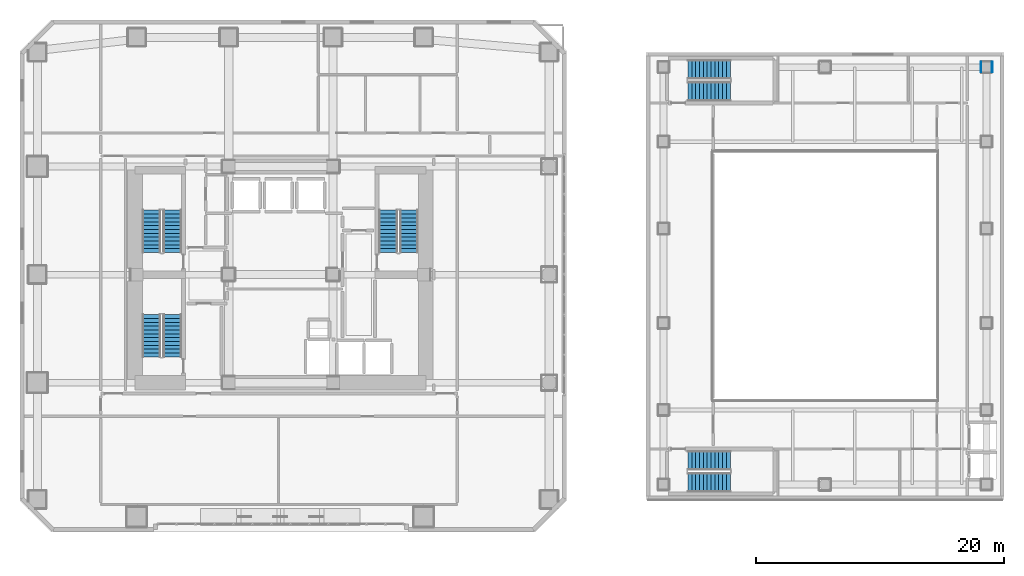
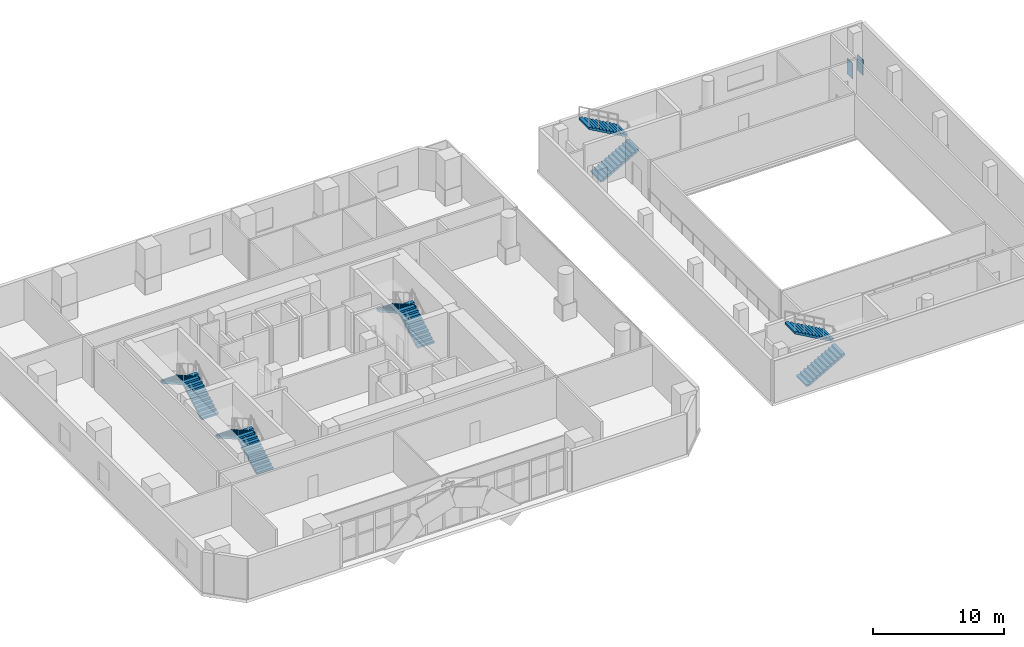
# One storey, part 19 of 22: 10 stair flights, 2 walls, 5 elements without a shape of their own.
"""IFC4 building model written with IfcOpenShell, lengths in metres."""

from ifc_helpers import new_model, si_unit, direction, frame, frame_2d, origin, place, context, subcontext, project, spatial, polyline, rectangle, outline, extrude, material, layer, layer_set, type_object, element, aggregate, save


model = new_model("IFC4")

# Units and contexts
model_context = context("Model", 3, precision=1e-05, world=origin(), true_north=direction((0.0, 1.0)))
body_context = subcontext(model_context, "Body", "Model", "MODEL_VIEW")
ifc_project = project(units=[si_unit("LENGTHUNIT", "METRE"), si_unit("AREAUNIT", "SQUARE_METRE"), si_unit("VOLUMEUNIT", "CUBIC_METRE"), si_unit("PLANEANGLEUNIT", "RADIAN"), si_unit("MASSUNIT", "GRAM", prefix="KILO")], contexts=[model_context])

# Site, building, storey
site_placement = place(None, origin())
site = spatial("IfcSite", under=ifc_project, at=site_placement, CompositionType="ELEMENT")
building_placement = place(site_placement, origin())
building = spatial("IfcBuilding", under=site, at=building_placement, Name="Solanera Arch Residences", CompositionType="ELEMENT")
storey_placement = place(building_placement, frame((0.0, 0.0, 13.60009765625)))
storey = spatial("IfcBuildingStorey", under=building, at=storey_placement, Name="L03", CompositionType="ELEMENT", Elevation=13.60009765625)

# Walls
ifc_material_1 = material(Name="Fire-Rated Gypsum Stud Partition", Category="gypsum")
ifc_layer = layer(ifc_material_1, 0.06005859375)
ifc_layer_set = layer_set([ifc_layer], Name="Fire-Rated Gypsum Stud Partition")
wall_type = type_object("IfcWallType", Name="Column Acoustic Furring Wall 60", PredefinedType="PARTITIONING", material=ifc_layer_set)
for number, where, z_axis, x_axis, name in (
    (1, (81.343017578125, 46.97509765625, 0.0), (0.0, 0.0, 1.0), (0.0, 1.0, 0.0), "L03 Column Furring 36W"),
    (2, (82.257080078125, 46.97509765625, 0.0), (0.0, 0.0, 1.0), (0.0, 1.0, 0.0), "L03 Column Furring 36E"),
):
    element("IfcWall", number, at=place(storey_placement, frame(where, z_axis=z_axis, x_axis=x_axis)), inside=storey, type_object=wall_type, Name=name, PredefinedType="PARTITIONING", context=body_context, shape_type="SweptSolid", body=[
        extrude(rectangle(XDim=0.849853515625, YDim=0.06005859375, at=frame_2d((0.4248046875, 0.0))), origin(), (0.0, 0.0, 1.0), 1.449951171875),
    ])

# Stair, stair flights
ifc_material_2 = material(Name="Concrete C40/50 (f'c = 45 MPa)", Category="concrete")
stair_type_1 = type_object("IfcStairType", Name="Arena Dogleg Exit Stair 1560", PredefinedType="HALF_TURN_STAIR", material=ifc_material_2)
stair_1_placement = place(storey_placement, origin())
stair_1 = element("IfcStair", 3, at=stair_1_placement, inside=storey, type_object=stair_type_1, Name="L03 Sports Hall South Exit Stair", PredefinedType="HALF_TURN_STAIR")
ifc_material_3 = material(Name="Concrete C40/50 (f'c = 45 MPa)", Category="concrete")
stair_flight_type_1 = type_object("IfcStairFlightType", Name="Arena Precast Stair Flight 1560", PredefinedType="STRAIGHT", material=ifc_material_3)
stair_flight_1_placement = place(storey_placement, frame((57.760009765625, 13.97998046875, 0.0), z_axis=(0.0, 0.0, 1.0), x_axis=(1.0, 0.0, 0.0)))
stair_flight_1 = element("IfcStairFlight", 4, at=stair_flight_1_placement, type_object=stair_flight_type_1, Name="ST-H1 flight 1", NumberOfRisers=12, NumberOfTreads=11, PredefinedType="STRAIGHT", RiserHeight=0.175, TreadLength=0.31, context=body_context, shape_type="SweptSolid", body=[
    extrude(outline(polyline([(0.0, 0.0), (0.0, 0.175048828125), (0.31005859375, 0.175048828125), (0.31005859375, 0.35009765625), (0.6201171875, 0.35009765625), (0.6201171875, 0.52490234375), (0.929931640625, 0.52490234375), (0.929931640625, 0.699951171875), (1.239990234375, 0.699951171875), (1.239990234375, 0.875), (1.550048828125, 0.875), (1.550048828125, 1.050048828125), (1.860107421875, 1.050048828125), (1.860107421875, 1.22509765625), (2.169921875, 1.22509765625), (2.169921875, 1.39990234375), (2.47998046875, 1.39990234375), (2.47998046875, 1.574951171875), (2.7900390625, 1.574951171875), (2.7900390625, 1.75), (3.10009765625, 1.75), (3.10009765625, 1.925048828125), (3.409912109375, 1.925048828125), (3.409912109375, 2.10009765625), (3.409912109375, 1.7529296875), (0.304931640625, 0.0), (0.0, 0.0)])), frame((0.0, 0.780029296875, 0.0), z_axis=(0.0, -1.0, 0.0), x_axis=(1.0, 0.0, 0.0)), (0.0, 0.0, 1.0), 1.56005859375),
])
stair_flight_2_placement = place(storey_placement, frame((61.169921875, 15.739990234375, 2.099853515625), z_axis=(0.0, 0.0, 1.0), x_axis=(-1.0, 0.0, 0.0)))
stair_flight_2 = element("IfcStairFlight", 5, at=stair_flight_2_placement, type_object=stair_flight_type_1, Name="ST-H1 flight 2", NumberOfRisers=12, NumberOfTreads=11, PredefinedType="STRAIGHT", RiserHeight=0.175, TreadLength=0.31, context=body_context, shape_type="SweptSolid", body=[
    extrude(outline(polyline([(0.0, 0.0), (0.0, 0.175048828125), (0.31005859375, 0.175048828125), (0.31005859375, 0.35009765625), (0.6201171875, 0.35009765625), (0.6201171875, 0.52490234375), (0.929931640625, 0.52490234375), (0.929931640625, 0.699951171875), (1.239990234375, 0.699951171875), (1.239990234375, 0.875), (1.550048828125, 0.875), (1.550048828125, 1.050048828125), (1.860107421875, 1.050048828125), (1.860107421875, 1.22509765625), (2.169921875, 1.22509765625), (2.169921875, 1.39990234375), (2.47998046875, 1.39990234375), (2.47998046875, 1.574951171875), (2.7900390625, 1.574951171875), (2.7900390625, 1.75), (3.10009765625, 1.75), (3.10009765625, 1.925048828125), (3.409912109375, 1.925048828125), (3.409912109375, 2.10009765625), (3.409912109375, 1.7529296875), (0.304931640625, 0.0), (0.0, 0.0)])), frame((0.0, 0.780029296875, 0.0), z_axis=(0.0, -1.0, 0.0), x_axis=(1.0, 0.0, 0.0)), (0.0, 0.0, 1.0), 1.56005859375),
])
aggregate(stair_1, [stair_flight_1, stair_flight_2])

stair_2_placement = place(storey_placement, origin())
stair_2 = element("IfcStair", 6, at=stair_2_placement, inside=storey, type_object=stair_type_1, Name="L03 Sports Hall North Exit Stair", PredefinedType="HALF_TURN_STAIR")
stair_flight_3_placement = place(storey_placement, frame((57.760009765625, 45.4599609375, 0.0), z_axis=(0.0, 0.0, 1.0), x_axis=(1.0, 0.0, 0.0)))
stair_flight_3 = element("IfcStairFlight", 7, at=stair_flight_3_placement, type_object=stair_flight_type_1, Name="ST-H2 flight 1", NumberOfRisers=12, NumberOfTreads=11, PredefinedType="STRAIGHT", RiserHeight=0.175, TreadLength=0.31, context=body_context, shape_type="SweptSolid", body=[
    extrude(outline(polyline([(0.0, 0.0), (0.0, 0.175048828125), (0.31005859375, 0.175048828125), (0.31005859375, 0.35009765625), (0.6201171875, 0.35009765625), (0.6201171875, 0.52490234375), (0.929931640625, 0.52490234375), (0.929931640625, 0.699951171875), (1.239990234375, 0.699951171875), (1.239990234375, 0.875), (1.550048828125, 0.875), (1.550048828125, 1.050048828125), (1.860107421875, 1.050048828125), (1.860107421875, 1.22509765625), (2.169921875, 1.22509765625), (2.169921875, 1.39990234375), (2.47998046875, 1.39990234375), (2.47998046875, 1.574951171875), (2.7900390625, 1.574951171875), (2.7900390625, 1.75), (3.10009765625, 1.75), (3.10009765625, 1.925048828125), (3.409912109375, 1.925048828125), (3.409912109375, 2.10009765625), (3.409912109375, 1.7529296875), (0.304931640625, 0.0), (0.0, 0.0)])), frame((0.0, 0.780029296875, 0.0), z_axis=(0.0, -1.0, 0.0), x_axis=(1.0, 0.0, 0.0)), (0.0, 0.0, 1.0), 1.56005859375),
])
stair_flight_4_placement = place(storey_placement, frame((61.169921875, 47.219970703125, 2.099853515625), z_axis=(0.0, 0.0, 1.0), x_axis=(-1.0, 0.0, 0.0)))
stair_flight_4 = element("IfcStairFlight", 8, at=stair_flight_4_placement, type_object=stair_flight_type_1, Name="ST-H2 flight 2", NumberOfRisers=12, NumberOfTreads=11, PredefinedType="STRAIGHT", RiserHeight=0.175, TreadLength=0.31, context=body_context, shape_type="SweptSolid", body=[
    extrude(outline(polyline([(0.0, 0.0), (0.0, 0.175048828125), (0.31005859375, 0.175048828125), (0.31005859375, 0.35009765625), (0.6201171875, 0.35009765625), (0.6201171875, 0.52490234375), (0.929931640625, 0.52490234375), (0.929931640625, 0.699951171875), (1.239990234375, 0.699951171875), (1.239990234375, 0.875), (1.550048828125, 0.875), (1.550048828125, 1.050048828125), (1.860107421875, 1.050048828125), (1.860107421875, 1.22509765625), (2.169921875, 1.22509765625), (2.169921875, 1.39990234375), (2.47998046875, 1.39990234375), (2.47998046875, 1.574951171875), (2.7900390625, 1.574951171875), (2.7900390625, 1.75), (3.10009765625, 1.75), (3.10009765625, 1.925048828125), (3.409912109375, 1.925048828125), (3.409912109375, 2.10009765625), (3.409912109375, 1.7529296875), (0.304931640625, 0.0), (0.0, 0.0)])), frame((0.0, 0.780029296875, 0.0), z_axis=(0.0, -1.0, 0.0), x_axis=(1.0, 0.0, 0.0)), (0.0, 0.0, 1.0), 1.56005859375),
])
aggregate(stair_2, [stair_flight_3, stair_flight_4])

ifc_material_4 = material(Name="Concrete C40/50 (f'c = 45 MPa)", Category="concrete")
stair_type_2 = type_object("IfcStairType", Name="Tower Dogleg Exit Stair 1480", PredefinedType="HALF_TURN_STAIR", material=ifc_material_4)
stair_3_placement = place(storey_placement, origin())
stair_3 = element("IfcStair", 9, at=stair_3_placement, inside=storey, type_object=stair_type_2, Name="L03 Tower Core Exit Stair 1", PredefinedType="HALF_TURN_STAIR")
ifc_material_5 = material(Name="Concrete C40/50 (f'c = 45 MPa)", Category="concrete")
stair_flight_type_2 = type_object("IfcStairFlightType", Name="Tower Precast Stair Flight 1480", PredefinedType="STRAIGHT", material=ifc_material_5)
stair_flight_5_placement = place(storey_placement, frame((16.260009765625, 32.47998046875, 0.0), z_axis=(0.0, 0.0, 1.0), x_axis=(0.0, 1.0, 0.0)))
stair_flight_5 = element("IfcStairFlight", 10, at=stair_flight_5_placement, type_object=stair_flight_type_2, Name="ST-T1 flight 1", NumberOfRisers=12, NumberOfTreads=11, PredefinedType="STRAIGHT", RiserHeight=0.175, TreadLength=0.31, context=body_context, shape_type="SweptSolid", body=[
    extrude(outline(polyline([(0.0, 0.0), (0.0, 0.175048828125), (0.31005859375, 0.175048828125), (0.31005859375, 0.35009765625), (0.6201171875, 0.35009765625), (0.6201171875, 0.52490234375), (0.929931640625, 0.52490234375), (0.929931640625, 0.699951171875), (1.239990234375, 0.699951171875), (1.239990234375, 0.875), (1.550048828125, 0.875), (1.550048828125, 1.050048828125), (1.860107421875, 1.050048828125), (1.860107421875, 1.22509765625), (2.169921875, 1.22509765625), (2.169921875, 1.39990234375), (2.47998046875, 1.39990234375), (2.47998046875, 1.574951171875), (2.7900390625, 1.574951171875), (2.7900390625, 1.75), (3.10009765625, 1.75), (3.10009765625, 1.925048828125), (3.409912109375, 1.925048828125), (3.409912109375, 2.10009765625), (3.409912109375, 1.7529296875), (0.304931640625, 0.0), (0.0, 0.0)])), frame((0.0, 0.739990234375, 0.0), z_axis=(0.0, -1.0, 0.0), x_axis=(1.0, 0.0, 0.0)), (0.0, 0.0, 1.0), 1.47998046875),
])
stair_flight_6_placement = place(storey_placement, frame((14.580078125, 35.889892578125, 2.099853515625), z_axis=(0.0, 0.0, 1.0), x_axis=(0.0, -1.0, 0.0)))
stair_flight_6 = element("IfcStairFlight", 11, at=stair_flight_6_placement, type_object=stair_flight_type_2, Name="ST-T1 flight 2", NumberOfRisers=12, NumberOfTreads=11, PredefinedType="STRAIGHT", RiserHeight=0.175, TreadLength=0.31, context=body_context, shape_type="SweptSolid", body=[
    extrude(outline(polyline([(0.0, 0.0), (0.0, 0.175048828125), (0.31005859375, 0.175048828125), (0.31005859375, 0.35009765625), (0.6201171875, 0.35009765625), (0.6201171875, 0.52490234375), (0.929931640625, 0.52490234375), (0.929931640625, 0.699951171875), (1.239990234375, 0.699951171875), (1.239990234375, 0.875), (1.550048828125, 0.875), (1.550048828125, 1.050048828125), (1.860107421875, 1.050048828125), (1.860107421875, 1.22509765625), (2.169921875, 1.22509765625), (2.169921875, 1.39990234375), (2.47998046875, 1.39990234375), (2.47998046875, 1.574951171875), (2.7900390625, 1.574951171875), (2.7900390625, 1.75), (3.10009765625, 1.75), (3.10009765625, 1.925048828125), (3.409912109375, 1.925048828125), (3.409912109375, 2.10009765625), (3.409912109375, 1.7529296875), (0.304931640625, 0.0), (0.0, 0.0)])), frame((0.0, 0.739990234375, 0.0), z_axis=(0.0, -1.0, 0.0), x_axis=(1.0, 0.0, 0.0)), (0.0, 0.0, 1.0), 1.47998046875),
])
aggregate(stair_3, [stair_flight_5, stair_flight_6])

stair_4_placement = place(storey_placement, origin())
stair_4 = element("IfcStair", 12, at=stair_4_placement, inside=storey, type_object=stair_type_2, Name="L03 Tower Core Exit Stair 2", PredefinedType="HALF_TURN_STAIR")
stair_flight_7_placement = place(storey_placement, frame((35.320068359375, 32.47998046875, 0.0), z_axis=(0.0, 0.0, 1.0), x_axis=(0.0, 1.0, 0.0)))
stair_flight_7 = element("IfcStairFlight", 13, at=stair_flight_7_placement, type_object=stair_flight_type_2, Name="ST-T2 flight 1", NumberOfRisers=12, NumberOfTreads=11, PredefinedType="STRAIGHT", RiserHeight=0.175, TreadLength=0.31, context=body_context, shape_type="SweptSolid", body=[
    extrude(outline(polyline([(0.0, 0.0), (0.0, 0.175048828125), (0.31005859375, 0.175048828125), (0.31005859375, 0.35009765625), (0.6201171875, 0.35009765625), (0.6201171875, 0.52490234375), (0.929931640625, 0.52490234375), (0.929931640625, 0.699951171875), (1.239990234375, 0.699951171875), (1.239990234375, 0.875), (1.550048828125, 0.875), (1.550048828125, 1.050048828125), (1.860107421875, 1.050048828125), (1.860107421875, 1.22509765625), (2.169921875, 1.22509765625), (2.169921875, 1.39990234375), (2.47998046875, 1.39990234375), (2.47998046875, 1.574951171875), (2.7900390625, 1.574951171875), (2.7900390625, 1.75), (3.10009765625, 1.75), (3.10009765625, 1.925048828125), (3.409912109375, 1.925048828125), (3.409912109375, 2.10009765625), (3.409912109375, 1.7529296875), (0.304931640625, 0.0), (0.0, 0.0)])), frame((0.0, 0.739990234375, 0.0), z_axis=(0.0, -1.0, 0.0), x_axis=(1.0, 0.0, 0.0)), (0.0, 0.0, 1.0), 1.47998046875),
])
stair_flight_8_placement = place(storey_placement, frame((33.639892578125, 35.889892578125, 2.099853515625), z_axis=(0.0, 0.0, 1.0), x_axis=(0.0, -1.0, 0.0)))
stair_flight_8 = element("IfcStairFlight", 14, at=stair_flight_8_placement, type_object=stair_flight_type_2, Name="ST-T2 flight 2", NumberOfRisers=12, NumberOfTreads=11, PredefinedType="STRAIGHT", RiserHeight=0.175, TreadLength=0.31, context=body_context, shape_type="SweptSolid", body=[
    extrude(outline(polyline([(0.0, 0.0), (0.0, 0.175048828125), (0.31005859375, 0.175048828125), (0.31005859375, 0.35009765625), (0.6201171875, 0.35009765625), (0.6201171875, 0.52490234375), (0.929931640625, 0.52490234375), (0.929931640625, 0.699951171875), (1.239990234375, 0.699951171875), (1.239990234375, 0.875), (1.550048828125, 0.875), (1.550048828125, 1.050048828125), (1.860107421875, 1.050048828125), (1.860107421875, 1.22509765625), (2.169921875, 1.22509765625), (2.169921875, 1.39990234375), (2.47998046875, 1.39990234375), (2.47998046875, 1.574951171875), (2.7900390625, 1.574951171875), (2.7900390625, 1.75), (3.10009765625, 1.75), (3.10009765625, 1.925048828125), (3.409912109375, 1.925048828125), (3.409912109375, 2.10009765625), (3.409912109375, 1.7529296875), (0.304931640625, 0.0), (0.0, 0.0)])), frame((0.0, 0.739990234375, 0.0), z_axis=(0.0, -1.0, 0.0), x_axis=(1.0, 0.0, 0.0)), (0.0, 0.0, 1.0), 1.47998046875),
])
aggregate(stair_4, [stair_flight_7, stair_flight_8])

stair_5_placement = place(storey_placement, origin())
stair_5 = element("IfcStair", 15, at=stair_5_placement, inside=storey, type_object=stair_type_2, Name="L03 Tower Core Exit Stair 3", PredefinedType="HALF_TURN_STAIR")
stair_flight_9_placement = place(storey_placement, frame((16.260009765625, 24.080078125, 0.0), z_axis=(0.0, 0.0, 1.0), x_axis=(0.0, 1.0, 0.0)))
stair_flight_9 = element("IfcStairFlight", 16, at=stair_flight_9_placement, type_object=stair_flight_type_2, Name="ST-T3 flight 1", NumberOfRisers=12, NumberOfTreads=11, PredefinedType="STRAIGHT", RiserHeight=0.175, TreadLength=0.31, context=body_context, shape_type="SweptSolid", body=[
    extrude(outline(polyline([(0.0, 0.0), (0.0, 0.175048828125), (0.31005859375, 0.175048828125), (0.31005859375, 0.35009765625), (0.6201171875, 0.35009765625), (0.6201171875, 0.52490234375), (0.929931640625, 0.52490234375), (0.929931640625, 0.699951171875), (1.239990234375, 0.699951171875), (1.239990234375, 0.875), (1.550048828125, 0.875), (1.550048828125, 1.050048828125), (1.860107421875, 1.050048828125), (1.860107421875, 1.22509765625), (2.169921875, 1.22509765625), (2.169921875, 1.39990234375), (2.47998046875, 1.39990234375), (2.47998046875, 1.574951171875), (2.7900390625, 1.574951171875), (2.7900390625, 1.75), (3.10009765625, 1.75), (3.10009765625, 1.925048828125), (3.409912109375, 1.925048828125), (3.409912109375, 2.10009765625), (3.409912109375, 1.7529296875), (0.304931640625, 0.0), (0.0, 0.0)])), frame((0.0, 0.739990234375, 0.0), z_axis=(0.0, -1.0, 0.0), x_axis=(1.0, 0.0, 0.0)), (0.0, 0.0, 1.0), 1.47998046875),
])
stair_flight_10_placement = place(storey_placement, frame((14.580078125, 27.489990234375, 2.099853515625), z_axis=(0.0, 0.0, 1.0), x_axis=(0.0, -1.0, 0.0)))
stair_flight_10 = element("IfcStairFlight", 17, at=stair_flight_10_placement, type_object=stair_flight_type_2, Name="ST-T3 flight 2", NumberOfRisers=12, NumberOfTreads=11, PredefinedType="STRAIGHT", RiserHeight=0.175, TreadLength=0.31, context=body_context, shape_type="SweptSolid", body=[
    extrude(outline(polyline([(0.0, 0.0), (0.0, 0.175048828125), (0.31005859375, 0.175048828125), (0.31005859375, 0.35009765625), (0.6201171875, 0.35009765625), (0.6201171875, 0.52490234375), (0.929931640625, 0.52490234375), (0.929931640625, 0.699951171875), (1.239990234375, 0.699951171875), (1.239990234375, 0.875), (1.550048828125, 0.875), (1.550048828125, 1.050048828125), (1.860107421875, 1.050048828125), (1.860107421875, 1.22509765625), (2.169921875, 1.22509765625), (2.169921875, 1.39990234375), (2.47998046875, 1.39990234375), (2.47998046875, 1.574951171875), (2.7900390625, 1.574951171875), (2.7900390625, 1.75), (3.10009765625, 1.75), (3.10009765625, 1.925048828125), (3.409912109375, 1.925048828125), (3.409912109375, 2.10009765625), (3.409912109375, 1.7529296875), (0.304931640625, 0.0), (0.0, 0.0)])), frame((0.0, 0.739990234375, 0.0), z_axis=(0.0, -1.0, 0.0), x_axis=(1.0, 0.0, 0.0)), (0.0, 0.0, 1.0), 1.47998046875),
])
aggregate(stair_5, [stair_flight_9, stair_flight_10])

save(model, "model.ifc")
